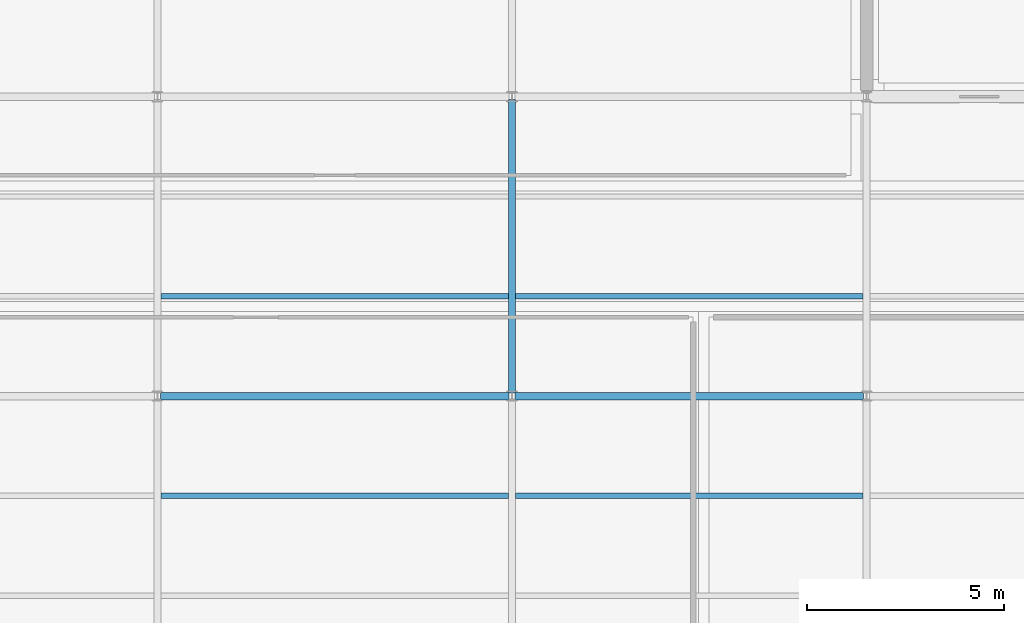
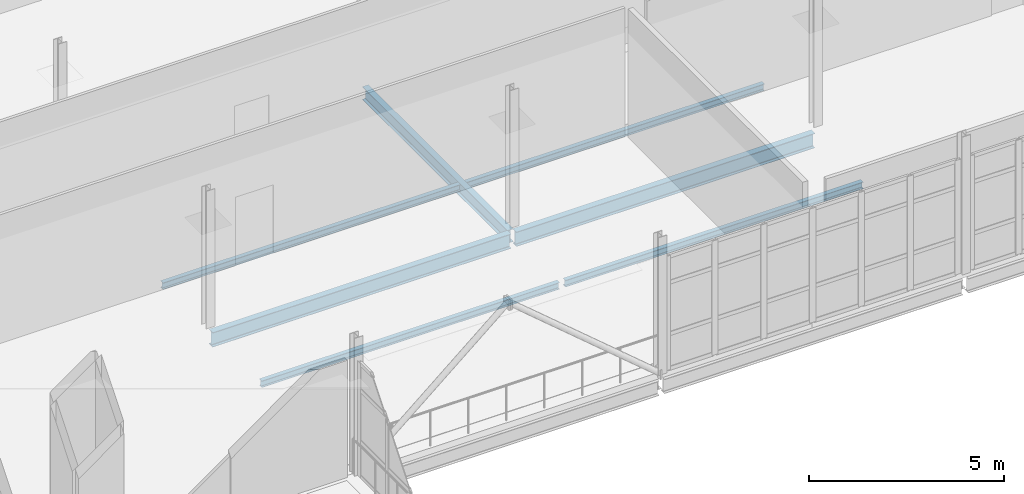
# One storey, part 82 of 166: 7 beams.
"""IFC4 building model written with IfcOpenShell, lengths in metres."""

from ifc_helpers import new_model, si_unit, direction, frame, origin, origin_2d, place, context, subcontext, project, spatial, i_section, extrude, material, material_profile, profile_set, type_object, element, save


model = new_model("IFC4")

# Units and contexts
model_context = context("Model", 3, precision=1e-05, world=origin(), true_north=direction((0.0, 1.0)))
body_context = subcontext(model_context, "Body", "Model", "MODEL_VIEW")
ifc_project = project(units=[si_unit("LENGTHUNIT", "METRE"), si_unit("AREAUNIT", "SQUARE_METRE"), si_unit("VOLUMEUNIT", "CUBIC_METRE"), si_unit("PLANEANGLEUNIT", "RADIAN"), si_unit("MASSUNIT", "GRAM", prefix="KILO")], contexts=[model_context])

# Site, building, storey
site_placement = place(None, origin())
site = spatial("IfcSite", under=ifc_project, at=site_placement, CompositionType="ELEMENT")
building_placement = place(site_placement, origin())
building = spatial("IfcBuilding", under=site, at=building_placement, Name="Caisbarro Railhouse Central Library", CompositionType="ELEMENT")
storey_placement = place(building_placement, frame((0.0, 0.0, 9.360107421875)))
storey = spatial("IfcBuildingStorey", under=building, at=storey_placement, Name="L02", CompositionType="ELEMENT", Elevation=9.360107421875)

# Beams
ifc_material = material(Name="Steel ASTM A572 Grade 50", Category="steel")
ifc_material_profile_1 = material_profile(ifc_material, i_section(OverallWidth=0.18994140625, OverallDepth=0.45703125, WebThickness=0.009033203125, FlangeThickness=0.014404296875, FilletRadius=0.01806640625, at=origin_2d()), Name="W460X74.0")
ifc_profile_set_1 = profile_set([ifc_material_profile_1], Name="Steel ASTM A572 Grade 50")
beam_type_1 = type_object("IfcBeamType", Name="BM-G08", PredefinedType="BEAM", material=ifc_profile_set_1)
for number, where, z_axis, x_axis, name in (
    (1, (63.080078125, 91.199951171875, -0.4287109375), (1.0, 0.0, 0.0), (0.0, 1.0, 0.0), "G08 beam L02 #1658"),
    (2, (72.080078125, 91.199951171875, -0.4287109375), (1.0, 0.0, 0.0), (0.0, 1.0, 0.0), "G08 beam L02 #1659"),
):
    element("IfcBeam", number, at=place(storey_placement, frame(where, z_axis=z_axis, x_axis=x_axis)), inside=storey, type_object=beam_type_1, Name=name, PredefinedType="BEAM", context=body_context, shape_type="SweptSolid", body=[
        extrude(i_section(OverallWidth=0.18994140625, OverallDepth=0.45703125, WebThickness=0.009033203125, FlangeThickness=0.014404296875, FilletRadius=0.01806640625, at=origin_2d()), origin(), (0.0, 0.0, 1.0), 8.83984375),
    ])
ifc_material_profile_2 = material_profile(ifc_material, i_section(OverallWidth=0.177978515625, OverallDepth=0.406982421875, WebThickness=0.0078125, FlangeThickness=0.0126953125, FilletRadius=0.01611328125, at=origin_2d()), Name="W410X60.0")
ifc_profile_set_2 = profile_set([ifc_material_profile_2], Name="Steel ASTM A572 Grade 50")
beam_type_2 = type_object("IfcBeamType", Name="BM-G10", PredefinedType="BEAM", material=ifc_profile_set_2)
beam_placement = place(storey_placement, frame((72.0, 91.280029296875, -0.403564453125), z_axis=(0.0, 1.0, 0.0), x_axis=(-1.0, 0.0, 0.0)))
element("IfcBeam", 3, at=beam_placement, inside=storey, type_object=beam_type_2, Name="G10 beam L02 #1679", PredefinedType="BEAM", context=body_context, shape_type="SweptSolid", body=[
    extrude(i_section(OverallWidth=0.177978515625, OverallDepth=0.406982421875, WebThickness=0.0078125, FlangeThickness=0.0126953125, FilletRadius=0.01611328125, at=origin_2d()), origin(), (0.0, 0.0, 1.0), 7.43994140625),
])
ifc_material_profile_3 = material_profile(ifc_material, i_section(OverallWidth=0.133056640625, OverallDepth=0.20703125, WebThickness=0.005859375, FlangeThickness=0.00830078125, FilletRadius=0.010009765625, at=origin_2d()), Name="W200X26.6")
ifc_profile_set_3 = profile_set([ifc_material_profile_3], Name="Steel ASTM A572 Grade 50")
beam_type_3 = type_object("IfcBeamType", Name="BM-J07", PredefinedType="JOIST", material=ifc_profile_set_3)
for number, where, z_axis, x_axis, name in (
    (4, (63.089111328125, 88.666748046875, -0.3037109375), (1.0, 0.0, 0.0), (0.0, 1.0, 0.0), "J07 beam L02 #1697"),
    (5, (63.089111328125, 93.7333984375, -0.3037109375), (1.0, 0.0, 0.0), (0.0, 1.0, 0.0), "J07 beam L02 #1698"),
    (6, (72.089111328125, 88.666748046875, -0.3037109375), (1.0, 0.0, 0.0), (0.0, 1.0, 0.0), "J07 beam L02 #1703"),
    (7, (72.089111328125, 93.7333984375, -0.3037109375), (1.0, 0.0, 0.0), (0.0, 1.0, 0.0), "J07 beam L02 #1704"),
):
    element("IfcBeam", number, at=place(storey_placement, frame(where, z_axis=z_axis, x_axis=x_axis)), inside=storey, type_object=beam_type_3, Name=name, PredefinedType="JOIST", context=body_context, shape_type="SweptSolid", body=[
        extrude(i_section(OverallWidth=0.133056640625, OverallDepth=0.20703125, WebThickness=0.005859375, FlangeThickness=0.00830078125, FilletRadius=0.010009765625, at=origin_2d()), origin(), (0.0, 0.0, 1.0), 8.82177734375),
    ])

save(model, "model.ifc")
